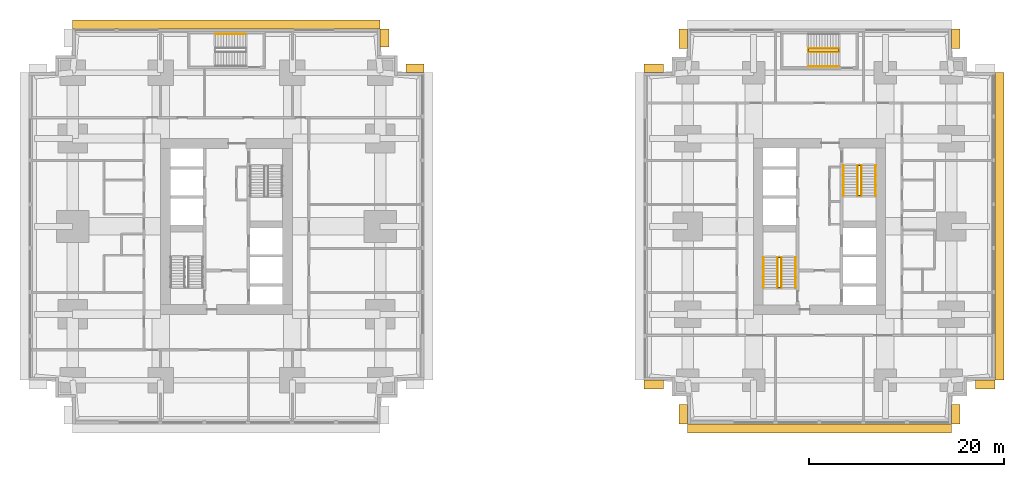
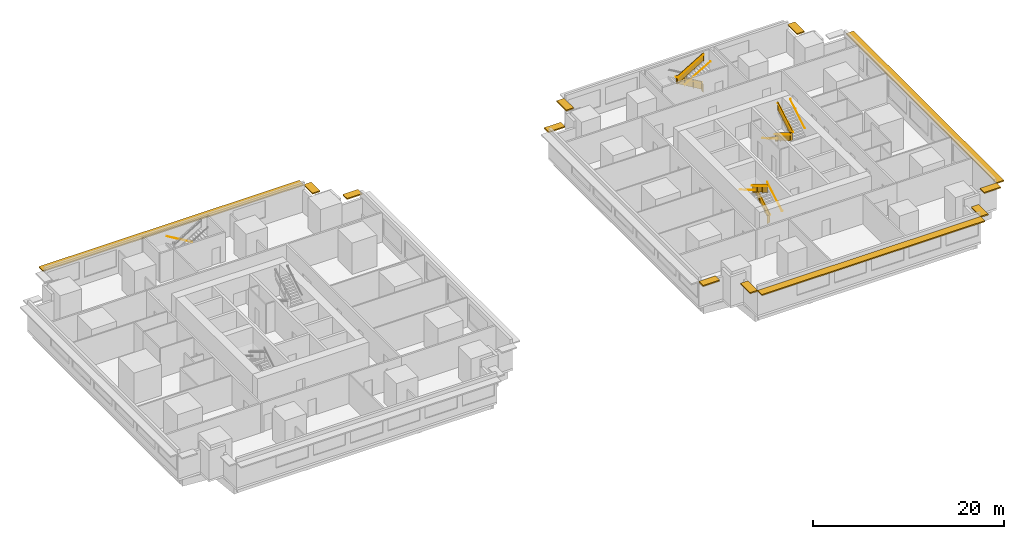
# One storey, part 10 of 11: 15 railings, 12 shading devices.
"""IFC4 building model written with IfcOpenShell, lengths in metres."""

from ifc_helpers import new_model, si_unit, direction, frame, origin, origin_2d, place, context, subcontext, project, spatial, polyline, rectangle, circle, outline, extrude, material, layer, layer_set, type_object, element, save


model = new_model("IFC4")

# Units and contexts
model_context = context("Model", 3, precision=1e-05, world=origin(), true_north=direction((0.0, 1.0)))
body_context = subcontext(model_context, "Body", "Model", "MODEL_VIEW")
ifc_project = project(units=[si_unit("LENGTHUNIT", "METRE"), si_unit("AREAUNIT", "SQUARE_METRE"), si_unit("VOLUMEUNIT", "CUBIC_METRE"), si_unit("PLANEANGLEUNIT", "RADIAN"), si_unit("MASSUNIT", "GRAM", prefix="KILO")], contexts=[model_context])

# Site, building, storey
site_placement = place(None, origin())
site = spatial("IfcSite", under=ifc_project, at=site_placement, CompositionType="ELEMENT")
building_placement = place(site_placement, origin())
building = spatial("IfcBuilding", under=site, at=building_placement, Name="Namib Vertical Campus", CompositionType="ELEMENT")
storey_placement = place(building_placement, frame((0.0, 0.0, 33.0)))
storey = spatial("IfcBuildingStorey", under=building, at=storey_placement, Name="L07", CompositionType="ELEMENT", Elevation=33.0)

# Railings
ifc_material_1 = material(Name="Steel handrail", Category="steel")
railing_type_1 = type_object("IfcRailingType", Name="Handrail 900", PredefinedType="HANDRAIL", material=ifc_material_1)
railing_1_placement = place(storey_placement, frame((78.550048828125, 14.0, 0.166748046875)))
element("IfcRailing", 1, at=railing_1_placement, inside=storey, type_object=railing_type_1, Name="Handrail HR1 B-S1 L07 1", PredefinedType="HANDRAIL", context=body_context, shape_type="SweptSolid", body=[
    extrude(circle(Radius=0.02392578125, at=origin_2d()), frame((0.0, 0.0, 0.8759765625), z_axis=(0.0, 0.859308565015, 0.511457515432), x_axis=(-1.0, 0.0, 0.0)), (0.0, 0.0, 1.0), 3.58447265625),
    extrude(circle(Radius=0.008056640625, at=origin_2d()), frame((0.0, 0.0, 0.8759765625), z_axis=(1.0, 0.0, 0.0), x_axis=(0.0, 0.0, 1.0)), (0.0, 0.0, 1.0), 0.050048828125),
    extrude(circle(Radius=0.008056640625, at=origin_2d()), frame((0.0, 1.026611328125, 1.48681640625), z_axis=(1.0, 0.0, 0.0), x_axis=(0.0, 0.0, 1.0)), (0.0, 0.0, 1.0), 0.050048828125),
    extrude(circle(Radius=0.008056640625, at=origin_2d()), frame((0.0, 2.053466796875, 2.09814453125), z_axis=(1.0, 0.0, 0.0), x_axis=(0.0, 0.0, 1.0)), (0.0, 0.0, 1.0), 0.050048828125),
    extrude(circle(Radius=0.008056640625, at=origin_2d()), frame((0.0, 3.080078125, 2.708984375), z_axis=(1.0, 0.0, 0.0), x_axis=(0.0, 0.0, 1.0)), (0.0, 0.0, 1.0), 0.050048828125),
])
railing_2_placement = place(storey_placement, frame((75.25, 17.080078125, 2.166748046875)))
element("IfcRailing", 2, at=railing_2_placement, inside=storey, type_object=railing_type_1, Name="Handrail HR1 B-S1 L07 2", PredefinedType="HANDRAIL", context=body_context, shape_type="SweptSolid", body=[
    extrude(circle(Radius=0.02392578125, at=origin_2d()), frame((0.0, 0.0, 0.8759765625), z_axis=(0.0, -0.859308565015, 0.511457515432), x_axis=(1.0, 0.0, 0.0)), (0.0, 0.0, 1.0), 3.58447265625),
    extrude(circle(Radius=0.008056640625, at=origin_2d()), frame((0.0, 0.0, 0.8759765625), z_axis=(-1.0, 0.0, 0.0), x_axis=(0.0, 0.0, 1.0)), (0.0, 0.0, 1.0), 0.050048828125),
    extrude(circle(Radius=0.008056640625, at=origin_2d()), frame((0.0, -1.026611328125, 1.48681640625), z_axis=(-1.0, 0.0, 0.0), x_axis=(0.0, 0.0, 1.0)), (0.0, 0.0, 1.0), 0.050048828125),
    extrude(circle(Radius=0.008056640625, at=origin_2d()), frame((0.0, -2.053466796875, 2.09814453125), z_axis=(-1.0, 0.0, 0.0), x_axis=(0.0, 0.0, 1.0)), (0.0, 0.0, 1.0), 0.050048828125),
    extrude(circle(Radius=0.008056640625, at=origin_2d()), frame((0.0, -3.080078125, 2.708984375), z_axis=(-1.0, 0.0, 0.0), x_axis=(0.0, 0.0, 1.0)), (0.0, 0.0, 1.0), 0.050048828125),
])
railing_3_placement = place(storey_placement, frame((77.10009765625, 14.0, 0.166748046875)))
element("IfcRailing", 3, at=railing_3_placement, inside=storey, type_object=railing_type_1, Name="Handrail HR1 B-S1 L07 1 at the well", PredefinedType="HANDRAIL", context=body_context, shape_type="SweptSolid", body=[
    extrude(circle(Radius=0.02392578125, at=origin_2d()), frame((0.0, 0.0, 0.8759765625), z_axis=(0.0, 0.859308565015, 0.511457515432), x_axis=(-1.0, 0.0, 0.0)), (0.0, 0.0, 1.0), 3.58447265625),
    extrude(circle(Radius=0.008056640625, at=origin_2d()), frame((0.0, 0.0, 0.8759765625), z_axis=(-1.0, 0.0, 0.0), x_axis=(0.0, 0.0, 1.0)), (0.0, 0.0, 1.0), 0.0400390625),
    extrude(circle(Radius=0.008056640625, at=origin_2d()), frame((0.0, 1.026611328125, 1.48681640625), z_axis=(-1.0, 0.0, 0.0), x_axis=(0.0, 0.0, 1.0)), (0.0, 0.0, 1.0), 0.0400390625),
    extrude(circle(Radius=0.008056640625, at=origin_2d()), frame((0.0, 2.053466796875, 2.09814453125), z_axis=(-1.0, 0.0, 0.0), x_axis=(0.0, 0.0, 1.0)), (0.0, 0.0, 1.0), 0.0400390625),
    extrude(circle(Radius=0.008056640625, at=origin_2d()), frame((0.0, 3.080078125, 2.708984375), z_axis=(-1.0, 0.0, 0.0), x_axis=(0.0, 0.0, 1.0)), (0.0, 0.0, 1.0), 0.0400390625),
])
railing_4_placement = place(storey_placement, frame((76.699951171875, 17.080078125, 2.166748046875)))
element("IfcRailing", 4, at=railing_4_placement, inside=storey, type_object=railing_type_1, Name="Handrail HR1 B-S1 L07 2 at the well", PredefinedType="HANDRAIL", context=body_context, shape_type="SweptSolid", body=[
    extrude(circle(Radius=0.02392578125, at=origin_2d()), frame((0.0, 0.0, 0.8759765625), z_axis=(0.0, -0.859308565015, 0.511457515432), x_axis=(1.0, 0.0, 0.0)), (0.0, 0.0, 1.0), 3.58447265625),
    extrude(circle(Radius=0.008056640625, at=origin_2d()), frame((0.0, 0.0, 0.8759765625), z_axis=(1.0, 0.0, 0.0), x_axis=(0.0, 0.0, 1.0)), (0.0, 0.0, 1.0), 0.0400390625),
    extrude(circle(Radius=0.008056640625, at=origin_2d()), frame((0.0, -1.026611328125, 1.48681640625), z_axis=(1.0, 0.0, 0.0), x_axis=(0.0, 0.0, 1.0)), (0.0, 0.0, 1.0), 0.0400390625),
    extrude(circle(Radius=0.008056640625, at=origin_2d()), frame((0.0, -2.053466796875, 2.09814453125), z_axis=(1.0, 0.0, 0.0), x_axis=(0.0, 0.0, 1.0)), (0.0, 0.0, 1.0), 0.0400390625),
    extrude(circle(Radius=0.008056640625, at=origin_2d()), frame((0.0, -3.080078125, 2.708984375), z_axis=(1.0, 0.0, 0.0), x_axis=(0.0, 0.0, 1.0)), (0.0, 0.0, 1.0), 0.0400390625),
])
railing_5_placement = place(storey_placement, frame((83.449951171875, 26.5, 0.166748046875)))
element("IfcRailing", 5, at=railing_5_placement, inside=storey, type_object=railing_type_1, Name="Handrail HR1 B-S2 L07 1", PredefinedType="HANDRAIL", context=body_context, shape_type="SweptSolid", body=[
    extrude(circle(Radius=0.02392578125, at=origin_2d()), frame((0.0, 0.0, 0.8759765625), z_axis=(0.0, -0.859308565015, 0.511457515432), x_axis=(1.0, 0.0, 0.0)), (0.0, 0.0, 1.0), 3.58447265625),
    extrude(circle(Radius=0.008056640625, at=origin_2d()), frame((0.0, 0.0, 0.8759765625), z_axis=(-1.0, 0.0, 0.0), x_axis=(0.0, 0.0, 1.0)), (0.0, 0.0, 1.0), 0.050048828125),
    extrude(circle(Radius=0.008056640625, at=origin_2d()), frame((0.0, -1.026611328125, 1.48681640625), z_axis=(-1.0, 0.0, 0.0), x_axis=(0.0, 0.0, 1.0)), (0.0, 0.0, 1.0), 0.050048828125),
    extrude(circle(Radius=0.008056640625, at=origin_2d()), frame((0.0, -2.053466796875, 2.09814453125), z_axis=(-1.0, 0.0, 0.0), x_axis=(0.0, 0.0, 1.0)), (0.0, 0.0, 1.0), 0.050048828125),
    extrude(circle(Radius=0.008056640625, at=origin_2d()), frame((0.0, -3.080078125, 2.708984375), z_axis=(-1.0, 0.0, 0.0), x_axis=(0.0, 0.0, 1.0)), (0.0, 0.0, 1.0), 0.050048828125),
])
railing_6_placement = place(storey_placement, frame((86.75, 23.419921875, 2.166748046875)))
element("IfcRailing", 6, at=railing_6_placement, inside=storey, type_object=railing_type_1, Name="Handrail HR1 B-S2 L07 2", PredefinedType="HANDRAIL", context=body_context, shape_type="SweptSolid", body=[
    extrude(circle(Radius=0.02392578125, at=origin_2d()), frame((0.0, 0.0, 0.8759765625), z_axis=(0.0, 0.859308565015, 0.511457515432), x_axis=(-1.0, 0.0, 0.0)), (0.0, 0.0, 1.0), 3.58447265625),
    extrude(circle(Radius=0.008056640625, at=origin_2d()), frame((0.0, 0.0, 0.8759765625), z_axis=(1.0, 0.0, 0.0), x_axis=(0.0, 0.0, 1.0)), (0.0, 0.0, 1.0), 0.050048828125),
    extrude(circle(Radius=0.008056640625, at=origin_2d()), frame((0.0, 1.026611328125, 1.48681640625), z_axis=(1.0, 0.0, 0.0), x_axis=(0.0, 0.0, 1.0)), (0.0, 0.0, 1.0), 0.050048828125),
    extrude(circle(Radius=0.008056640625, at=origin_2d()), frame((0.0, 2.053466796875, 2.09814453125), z_axis=(1.0, 0.0, 0.0), x_axis=(0.0, 0.0, 1.0)), (0.0, 0.0, 1.0), 0.050048828125),
    extrude(circle(Radius=0.008056640625, at=origin_2d()), frame((0.0, 3.080078125, 2.708984375), z_axis=(1.0, 0.0, 0.0), x_axis=(0.0, 0.0, 1.0)), (0.0, 0.0, 1.0), 0.050048828125),
])
railing_7_placement = place(storey_placement, frame((84.89990234375, 26.5, 0.166748046875)))
element("IfcRailing", 7, at=railing_7_placement, inside=storey, type_object=railing_type_1, Name="Handrail HR1 B-S2 L07 1 at the well", PredefinedType="HANDRAIL", context=body_context, shape_type="SweptSolid", body=[
    extrude(circle(Radius=0.02392578125, at=origin_2d()), frame((0.0, 0.0, 0.8759765625), z_axis=(0.0, -0.859308565015, 0.511457515432), x_axis=(1.0, 0.0, 0.0)), (0.0, 0.0, 1.0), 3.58447265625),
    extrude(circle(Radius=0.008056640625, at=origin_2d()), frame((0.0, 0.0, 0.8759765625), z_axis=(1.0, 0.0, 0.0), x_axis=(0.0, 0.0, 1.0)), (0.0, 0.0, 1.0), 0.0400390625),
    extrude(circle(Radius=0.008056640625, at=origin_2d()), frame((0.0, -1.026611328125, 1.48681640625), z_axis=(1.0, 0.0, 0.0), x_axis=(0.0, 0.0, 1.0)), (0.0, 0.0, 1.0), 0.0400390625),
    extrude(circle(Radius=0.008056640625, at=origin_2d()), frame((0.0, -2.053466796875, 2.09814453125), z_axis=(1.0, 0.0, 0.0), x_axis=(0.0, 0.0, 1.0)), (0.0, 0.0, 1.0), 0.0400390625),
    extrude(circle(Radius=0.008056640625, at=origin_2d()), frame((0.0, -3.080078125, 2.708984375), z_axis=(1.0, 0.0, 0.0), x_axis=(0.0, 0.0, 1.0)), (0.0, 0.0, 1.0), 0.0400390625),
])
railing_8_placement = place(storey_placement, frame((85.300048828125, 23.419921875, 2.166748046875)))
element("IfcRailing", 8, at=railing_8_placement, inside=storey, type_object=railing_type_1, Name="Handrail HR1 B-S2 L07 2 at the well", PredefinedType="HANDRAIL", context=body_context, shape_type="SweptSolid", body=[
    extrude(circle(Radius=0.02392578125, at=origin_2d()), frame((0.0, 0.0, 0.8759765625), z_axis=(0.0, 0.859308565015, 0.511457515432), x_axis=(-1.0, 0.0, 0.0)), (0.0, 0.0, 1.0), 3.58447265625),
    extrude(circle(Radius=0.008056640625, at=origin_2d()), frame((0.0, 0.0, 0.8759765625), z_axis=(-1.0, 0.0, 0.0), x_axis=(0.0, 0.0, 1.0)), (0.0, 0.0, 1.0), 0.0400390625),
    extrude(circle(Radius=0.008056640625, at=origin_2d()), frame((0.0, 1.026611328125, 1.48681640625), z_axis=(-1.0, 0.0, 0.0), x_axis=(0.0, 0.0, 1.0)), (0.0, 0.0, 1.0), 0.0400390625),
    extrude(circle(Radius=0.008056640625, at=origin_2d()), frame((0.0, 2.053466796875, 2.09814453125), z_axis=(-1.0, 0.0, 0.0), x_axis=(0.0, 0.0, 1.0)), (0.0, 0.0, 1.0), 0.0400390625),
    extrude(circle(Radius=0.008056640625, at=origin_2d()), frame((0.0, 3.080078125, 2.708984375), z_axis=(-1.0, 0.0, 0.0), x_axis=(0.0, 0.0, 1.0)), (0.0, 0.0, 1.0), 0.0400390625),
])
railing_9_placement = place(storey_placement, frame((22.199951171875, 39.949951171875, 0.166748046875)))
element("IfcRailing", 9, at=railing_9_placement, inside=storey, type_object=railing_type_1, Name="Handrail HR1 A-S3 L07 1", PredefinedType="HANDRAIL", context=body_context, shape_type="SweptSolid", body=[
    extrude(circle(Radius=0.02392578125, at=origin_2d()), frame((0.0, 0.0, 0.8759765625), z_axis=(-0.859290745958, 0.0, 0.51148745235), x_axis=(0.0, -1.0, 0.0)), (0.0, 0.0, 1.0), 3.584228515625),
    extrude(circle(Radius=0.008056640625, at=origin_2d()), frame((0.0, 0.0, 0.8759765625), z_axis=(0.0, 1.0, 0.0), x_axis=(0.0, 0.0, 1.0)), (0.0, 0.0, 1.0), 0.050048828125),
    extrude(circle(Radius=0.008056640625, at=origin_2d()), frame((-1.026611328125, 0.0, 1.48681640625), z_axis=(0.0, 1.0, 0.0), x_axis=(0.0, 0.0, 1.0)), (0.0, 0.0, 1.0), 0.050048828125),
    extrude(circle(Radius=0.008056640625, at=origin_2d()), frame((-2.05322265625, 0.0, 2.09814453125), z_axis=(0.0, 1.0, 0.0), x_axis=(0.0, 0.0, 1.0)), (0.0, 0.0, 1.0), 0.050048828125),
    extrude(circle(Radius=0.008056640625, at=origin_2d()), frame((-3.079833984375, 0.0, 2.708984375), z_axis=(0.0, 1.0, 0.0), x_axis=(0.0, 0.0, 1.0)), (0.0, 0.0, 1.0), 0.050048828125),
])
railing_10_placement = place(storey_placement, frame((79.8701171875, 36.64990234375, 2.166748046875)))
element("IfcRailing", 10, at=railing_10_placement, inside=storey, type_object=railing_type_1, Name="Handrail HR1 B-S3 L07 2", PredefinedType="HANDRAIL", context=body_context, shape_type="SweptSolid", body=[
    extrude(circle(Radius=0.02392578125, at=origin_2d()), frame((0.0, 0.0, 0.8759765625), z_axis=(0.859290745958, 0.0, 0.51148745235), x_axis=(0.0, 1.0, 0.0)), (0.0, 0.0, 1.0), 3.584228515625),
    extrude(circle(Radius=0.008056640625, at=origin_2d()), frame((0.0, 0.0, 0.8759765625), z_axis=(0.0, -1.0, 0.0), x_axis=(0.0, 0.0, 1.0)), (0.0, 0.0, 1.0), 0.050048828125),
    extrude(circle(Radius=0.008056640625, at=origin_2d()), frame((1.026611328125, 0.0, 1.48681640625), z_axis=(0.0, -1.0, 0.0), x_axis=(0.0, 0.0, 1.0)), (0.0, 0.0, 1.0), 0.050048828125),
    extrude(circle(Radius=0.008056640625, at=origin_2d()), frame((2.05322265625, 0.0, 2.09814453125), z_axis=(0.0, -1.0, 0.0), x_axis=(0.0, 0.0, 1.0)), (0.0, 0.0, 1.0), 0.050048828125),
    extrude(circle(Radius=0.008056640625, at=origin_2d()), frame((3.079833984375, 0.0, 2.708984375), z_axis=(0.0, -1.0, 0.0), x_axis=(0.0, 0.0, 1.0)), (0.0, 0.0, 1.0), 0.050048828125),
])
railing_11_placement = place(storey_placement, frame((82.949951171875, 38.5, 0.166748046875)))
element("IfcRailing", 11, at=railing_11_placement, inside=storey, type_object=railing_type_1, Name="Handrail HR1 B-S3 L07 1 at the well", PredefinedType="HANDRAIL", context=body_context, shape_type="SweptSolid", body=[
    extrude(circle(Radius=0.02392578125, at=origin_2d()), frame((0.0, 0.0, 0.8759765625), z_axis=(-0.859290745958, 0.0, 0.51148745235), x_axis=(0.0, -1.0, 0.0)), (0.0, 0.0, 1.0), 3.584228515625),
    extrude(circle(Radius=0.008056640625, at=origin_2d()), frame((0.0, 0.0, 0.8759765625), z_axis=(0.0, -1.0, 0.0), x_axis=(0.0, 0.0, 1.0)), (0.0, 0.0, 1.0), 0.0400390625),
    extrude(circle(Radius=0.008056640625, at=origin_2d()), frame((-1.026611328125, 0.0, 1.48681640625), z_axis=(0.0, -1.0, 0.0), x_axis=(0.0, 0.0, 1.0)), (0.0, 0.0, 1.0), 0.0400390625),
    extrude(circle(Radius=0.008056640625, at=origin_2d()), frame((-2.05322265625, 0.0, 2.09814453125), z_axis=(0.0, -1.0, 0.0), x_axis=(0.0, 0.0, 1.0)), (0.0, 0.0, 1.0), 0.0400390625),
    extrude(circle(Radius=0.008056640625, at=origin_2d()), frame((-3.079833984375, 0.0, 2.708984375), z_axis=(0.0, -1.0, 0.0), x_axis=(0.0, 0.0, 1.0)), (0.0, 0.0, 1.0), 0.0400390625),
])
railing_12_placement = place(storey_placement, frame((79.8701171875, 38.10009765625, 2.166748046875)))
element("IfcRailing", 12, at=railing_12_placement, inside=storey, type_object=railing_type_1, Name="Handrail HR1 B-S3 L07 2 at the well", PredefinedType="HANDRAIL", context=body_context, shape_type="SweptSolid", body=[
    extrude(circle(Radius=0.02392578125, at=origin_2d()), frame((0.0, 0.0, 0.8759765625), z_axis=(0.859290745958, 0.0, 0.51148745235), x_axis=(0.0, 1.0, 0.0)), (0.0, 0.0, 1.0), 3.584228515625),
    extrude(circle(Radius=0.008056640625, at=origin_2d()), frame((0.0, 0.0, 0.8759765625), z_axis=(0.0, 1.0, 0.0), x_axis=(0.0, 0.0, 1.0)), (0.0, 0.0, 1.0), 0.0400390625),
    extrude(circle(Radius=0.008056640625, at=origin_2d()), frame((1.026611328125, 0.0, 1.48681640625), z_axis=(0.0, 1.0, 0.0), x_axis=(0.0, 0.0, 1.0)), (0.0, 0.0, 1.0), 0.0400390625),
    extrude(circle(Radius=0.008056640625, at=origin_2d()), frame((2.05322265625, 0.0, 2.09814453125), z_axis=(0.0, 1.0, 0.0), x_axis=(0.0, 0.0, 1.0)), (0.0, 0.0, 1.0), 0.0400390625),
    extrude(circle(Radius=0.008056640625, at=origin_2d()), frame((3.079833984375, 0.0, 2.708984375), z_axis=(0.0, 1.0, 0.0), x_axis=(0.0, 0.0, 1.0)), (0.0, 0.0, 1.0), 0.0400390625),
])
ifc_material_2 = material(Name="Steel balustrade", Category="steel")
railing_type_2 = type_object("IfcRailingType", Name="Stair guard 1100", PredefinedType="GUARDRAIL", material=ifc_material_2)
railing_13_placement = place(storey_placement, frame((76.75, 14.0, 0.0)))
element("IfcRailing", 13, at=railing_13_placement, inside=storey, type_object=railing_type_2, Name="Stair guard GR1 B-S1 L07", PredefinedType="GUARDRAIL", context=body_context, shape_type="SweptSolid", body=[
    extrude(circle(Radius=0.02392578125, at=origin_2d()), frame((0.0, 0.0, 1.076171875), z_axis=(1.0, 0.0, 0.0), x_axis=(0.0, 1.0, 0.0)), (0.0, 0.0, 1.0), 0.300048828125),
    extrude(outline(polyline([(0.02099609375, 0.050048828125), (0.279052734375, 0.050048828125), (0.279052734375, 1.052001953125), (0.02099609375, 1.052001953125), (0.02099609375, 0.050048828125)])), frame((0.0, 0.010009765625, 0.0), z_axis=(0.0, -1.0, 0.0), x_axis=(1.0, 0.0, 0.0)), (0.0, 0.0, 1.0), 0.02001953125),
    extrude(circle(Radius=0.02392578125, at=origin_2d()), frame((0.300048828125, 0.0, 1.076171875), z_axis=(0.0, 0.0, 1.0), x_axis=(1.0, 0.0, 0.0)), (0.0, 0.0, 1.0), 0.166748046875),
    extrude(circle(Radius=0.02392578125, at=origin_2d()), frame((0.300048828125, 0.0, 1.24267578125), z_axis=(0.0, 0.859308565015, 0.511457515432), x_axis=(-1.0, 0.0, 0.0)), (0.0, 0.0, 1.0), 3.58447265625),
    extrude(outline(polyline([(0.02099609375, 0.0625), (3.05908203125, 1.870849609375), (3.05908203125, 2.872802734375), (0.02099609375, 1.064453125), (0.02099609375, 0.0625)])), frame((0.2900390625, 0.0, 0.166748046875), z_axis=(1.0, 0.0, 0.0), x_axis=(0.0, 1.0, 0.0)), (0.0, 0.0, 1.0), 0.02001953125),
    extrude(circle(Radius=0.02392578125, at=origin_2d()), frame((0.300048828125, 3.080078125, 3.076171875), z_axis=(-1.0, 0.0, 0.0), x_axis=(0.0, -1.0, 0.0)), (0.0, 0.0, 1.0), 0.300048828125),
    extrude(outline(polyline([(0.02099609375, 0.050048828125), (0.279052734375, 0.050048828125), (0.279052734375, 1.052001953125), (0.02099609375, 1.052001953125), (0.02099609375, 0.050048828125)])), frame((0.300048828125, 3.070068359375, 2.0), z_axis=(0.0, 1.0, 0.0), x_axis=(-1.0, 0.0, 0.0)), (0.0, 0.0, 1.0), 0.02001953125),
    extrude(circle(Radius=0.02392578125, at=origin_2d()), frame((0.0, 3.080078125, 3.076171875), z_axis=(0.0, 0.0, 1.0), x_axis=(1.0, 0.0, 0.0)), (0.0, 0.0, 1.0), 0.166748046875),
    extrude(circle(Radius=0.02392578125, at=origin_2d()), frame((0.0, 3.080078125, 3.24267578125), z_axis=(0.0, -0.859308565015, 0.511457515432), x_axis=(1.0, 0.0, 0.0)), (0.0, 0.0, 1.0), 3.58447265625),
    extrude(outline(polyline([(0.02099609375, 0.0625), (3.05908203125, 1.870849609375), (3.05908203125, 2.872802734375), (0.02099609375, 1.064453125), (0.02099609375, 0.0625)])), frame((0.010009765625, 3.080078125, 2.166748046875), z_axis=(-1.0, 0.0, 0.0), x_axis=(0.0, -1.0, 0.0)), (0.0, 0.0, 1.0), 0.02001953125),
    extrude(circle(Radius=0.02392578125, at=origin_2d()), frame((0.0, 0.0, 5.076171875), z_axis=(0.0, -1.0, 0.0), x_axis=(1.0, 0.0, 0.0)), (0.0, 0.0, 1.0), 0.050048828125),
    extrude(outline(polyline([(0.02099609375, 0.050048828125), (0.029052734375, 0.050048828125), (0.029052734375, 1.052001953125), (0.02099609375, 1.052001953125), (0.02099609375, 0.050048828125)])), frame((0.010009765625, 0.0, 4.0), z_axis=(-1.0, 0.0, 0.0), x_axis=(0.0, -1.0, 0.0)), (0.0, 0.0, 1.0), 0.02001953125),
    extrude(circle(Radius=0.02099609375, at=origin_2d()), origin(), (0.0, 0.0, 1.0), 1.052001953125),
    extrude(circle(Radius=0.02099609375, at=origin_2d()), frame((0.300048828125, 0.0, 0.166748046875)), (0.0, 0.0, 1.0), 1.052001953125),
    extrude(circle(Radius=0.02099609375, at=origin_2d()), frame((0.300048828125, 1.026611328125, 0.666748046875)), (0.0, 0.0, 1.0), 1.1630859375),
    extrude(circle(Radius=0.02099609375, at=origin_2d()), frame((0.300048828125, 2.053466796875, 1.33349609375)), (0.0, 0.0, 1.0), 1.107421875),
    extrude(circle(Radius=0.02099609375, at=origin_2d()), frame((0.300048828125, 3.080078125, 2.0)), (0.0, 0.0, 1.0), 1.052001953125),
    extrude(circle(Radius=0.02099609375, at=origin_2d()), frame((0.0, 3.080078125, 2.166748046875)), (0.0, 0.0, 1.0), 1.052001953125),
    extrude(circle(Radius=0.02099609375, at=origin_2d()), frame((0.0, 2.053466796875, 2.666748046875)), (0.0, 0.0, 1.0), 1.1630859375),
    extrude(circle(Radius=0.02099609375, at=origin_2d()), frame((0.0, 1.026611328125, 3.33349609375)), (0.0, 0.0, 1.0), 1.107421875),
    extrude(circle(Radius=0.02099609375, at=origin_2d()), frame((0.0, 0.0, 4.0)), (0.0, 0.0, 1.0), 1.052001953125),
    extrude(circle(Radius=0.02099609375, at=origin_2d()), frame((0.0, -0.050048828125, 4.0)), (0.0, 0.0, 1.0), 1.052001953125),
])
railing_14_placement = place(storey_placement, frame((85.25, 26.5, 0.0)))
element("IfcRailing", 14, at=railing_14_placement, inside=storey, type_object=railing_type_2, Name="Stair guard GR1 B-S2 L07", PredefinedType="GUARDRAIL", context=body_context, shape_type="SweptSolid", body=[
    extrude(circle(Radius=0.02392578125, at=origin_2d()), frame((0.0, 0.0, 1.076171875), z_axis=(-1.0, 0.0, 0.0), x_axis=(0.0, -1.0, 0.0)), (0.0, 0.0, 1.0), 0.300048828125),
    extrude(outline(polyline([(0.02099609375, 0.050048828125), (0.279052734375, 0.050048828125), (0.279052734375, 1.052001953125), (0.02099609375, 1.052001953125), (0.02099609375, 0.050048828125)])), frame((0.0, -0.010009765625, 0.0), z_axis=(0.0, 1.0, 0.0), x_axis=(-1.0, 0.0, 0.0)), (0.0, 0.0, 1.0), 0.02001953125),
    extrude(circle(Radius=0.02392578125, at=origin_2d()), frame((-0.300048828125, 0.0, 1.076171875), z_axis=(0.0, 0.0, 1.0), x_axis=(1.0, 0.0, 0.0)), (0.0, 0.0, 1.0), 0.166748046875),
    extrude(circle(Radius=0.02392578125, at=origin_2d()), frame((-0.300048828125, 0.0, 1.24267578125), z_axis=(0.0, -0.859308565015, 0.511457515432), x_axis=(1.0, 0.0, 0.0)), (0.0, 0.0, 1.0), 3.58447265625),
    extrude(outline(polyline([(0.02099609375, 0.0625), (3.05908203125, 1.870849609375), (3.05908203125, 2.872802734375), (0.02099609375, 1.064453125), (0.02099609375, 0.0625)])), frame((-0.2900390625, 0.0, 0.166748046875), z_axis=(-1.0, 0.0, 0.0), x_axis=(0.0, -1.0, 0.0)), (0.0, 0.0, 1.0), 0.02001953125),
    extrude(circle(Radius=0.02392578125, at=origin_2d()), frame((-0.300048828125, -3.080078125, 3.076171875), z_axis=(1.0, 0.0, 0.0), x_axis=(0.0, 1.0, 0.0)), (0.0, 0.0, 1.0), 0.300048828125),
    extrude(outline(polyline([(0.02099609375, 0.050048828125), (0.279052734375, 0.050048828125), (0.279052734375, 1.052001953125), (0.02099609375, 1.052001953125), (0.02099609375, 0.050048828125)])), frame((-0.300048828125, -3.070068359375, 2.0), z_axis=(0.0, -1.0, 0.0), x_axis=(1.0, 0.0, 0.0)), (0.0, 0.0, 1.0), 0.02001953125),
    extrude(circle(Radius=0.02392578125, at=origin_2d()), frame((0.0, -3.080078125, 3.076171875), z_axis=(0.0, 0.0, 1.0), x_axis=(1.0, 0.0, 0.0)), (0.0, 0.0, 1.0), 0.166748046875),
    extrude(circle(Radius=0.02392578125, at=origin_2d()), frame((0.0, -3.080078125, 3.24267578125), z_axis=(0.0, 0.859308565015, 0.511457515432), x_axis=(-1.0, 0.0, 0.0)), (0.0, 0.0, 1.0), 3.58447265625),
    extrude(outline(polyline([(0.02099609375, 0.0625), (3.05908203125, 1.870849609375), (3.05908203125, 2.872802734375), (0.02099609375, 1.064453125), (0.02099609375, 0.0625)])), frame((-0.010009765625, -3.080078125, 2.166748046875), z_axis=(1.0, 0.0, 0.0), x_axis=(0.0, 1.0, 0.0)), (0.0, 0.0, 1.0), 0.02001953125),
    extrude(circle(Radius=0.02392578125, at=origin_2d()), frame((0.0, 0.0, 5.076171875), z_axis=(0.0, 1.0, 0.0), x_axis=(-1.0, 0.0, 0.0)), (0.0, 0.0, 1.0), 0.050048828125),
    extrude(outline(polyline([(0.02099609375, 0.050048828125), (0.029052734375, 0.050048828125), (0.029052734375, 1.052001953125), (0.02099609375, 1.052001953125), (0.02099609375, 0.050048828125)])), frame((-0.010009765625, 0.0, 4.0), z_axis=(1.0, 0.0, 0.0), x_axis=(0.0, 1.0, 0.0)), (0.0, 0.0, 1.0), 0.02001953125),
    extrude(circle(Radius=0.02099609375, at=origin_2d()), origin(), (0.0, 0.0, 1.0), 1.052001953125),
    extrude(circle(Radius=0.02099609375, at=origin_2d()), frame((-0.300048828125, 0.0, 0.166748046875)), (0.0, 0.0, 1.0), 1.052001953125),
    extrude(circle(Radius=0.02099609375, at=origin_2d()), frame((-0.300048828125, -1.026611328125, 0.666748046875)), (0.0, 0.0, 1.0), 1.1630859375),
    extrude(circle(Radius=0.02099609375, at=origin_2d()), frame((-0.300048828125, -2.053466796875, 1.33349609375)), (0.0, 0.0, 1.0), 1.107421875),
    extrude(circle(Radius=0.02099609375, at=origin_2d()), frame((-0.300048828125, -3.080078125, 2.0)), (0.0, 0.0, 1.0), 1.052001953125),
    extrude(circle(Radius=0.02099609375, at=origin_2d()), frame((0.0, -3.080078125, 2.166748046875)), (0.0, 0.0, 1.0), 1.052001953125),
    extrude(circle(Radius=0.02099609375, at=origin_2d()), frame((0.0, -2.053466796875, 2.666748046875)), (0.0, 0.0, 1.0), 1.1630859375),
    extrude(circle(Radius=0.02099609375, at=origin_2d()), frame((0.0, -1.026611328125, 3.33349609375)), (0.0, 0.0, 1.0), 1.107421875),
    extrude(circle(Radius=0.02099609375, at=origin_2d()), frame((0.0, 0.0, 4.0)), (0.0, 0.0, 1.0), 1.052001953125),
    extrude(circle(Radius=0.02099609375, at=origin_2d()), frame((0.0, 0.050048828125, 4.0)), (0.0, 0.0, 1.0), 1.052001953125),
])
railing_15_placement = place(storey_placement, frame((82.949951171875, 38.14990234375, 0.0)))
element("IfcRailing", 15, at=railing_15_placement, inside=storey, type_object=railing_type_2, Name="Stair guard GR1 B-S3 L07", PredefinedType="GUARDRAIL", context=body_context, shape_type="SweptSolid", body=[
    extrude(circle(Radius=0.02392578125, at=origin_2d()), frame((0.0, 0.0, 1.076171875), z_axis=(0.0, 1.0, 0.0), x_axis=(-1.0, 0.0, 0.0)), (0.0, 0.0, 1.0), 0.300048828125),
    extrude(outline(polyline([(0.02099609375, 0.050048828125), (0.279052734375, 0.050048828125), (0.279052734375, 1.052001953125), (0.02099609375, 1.052001953125), (0.02099609375, 0.050048828125)])), frame((-0.010009765625, 0.0, 0.0), z_axis=(1.0, 0.0, 0.0), x_axis=(0.0, 1.0, 0.0)), (0.0, 0.0, 1.0), 0.02001953125),
    extrude(circle(Radius=0.02392578125, at=origin_2d()), frame((0.0, 0.300048828125, 1.076171875), z_axis=(0.0, 0.0, 1.0), x_axis=(1.0, 0.0, 0.0)), (0.0, 0.0, 1.0), 0.166748046875),
    extrude(circle(Radius=0.02392578125, at=origin_2d()), frame((0.0, 0.300048828125, 1.24267578125), z_axis=(-0.859290745958, 0.0, 0.51148745235), x_axis=(0.0, -1.0, 0.0)), (0.0, 0.0, 1.0), 3.584228515625),
    extrude(outline(polyline([(0.02099609375, 0.0625), (3.058837890625, 1.870849609375), (3.058837890625, 2.872802734375), (0.02099609375, 1.064453125), (0.02099609375, 0.0625)])), frame((0.0, 0.2900390625, 0.166748046875), z_axis=(0.0, 1.0, 0.0), x_axis=(-1.0, 0.0, 0.0)), (0.0, 0.0, 1.0), 0.02001953125),
    extrude(circle(Radius=0.02392578125, at=origin_2d()), frame((-3.079833984375, 0.300048828125, 3.076171875), z_axis=(0.0, -1.0, 0.0), x_axis=(1.0, 0.0, 0.0)), (0.0, 0.0, 1.0), 0.300048828125),
    extrude(outline(polyline([(0.02099609375, 0.050048828125), (0.279052734375, 0.050048828125), (0.279052734375, 1.052001953125), (0.02099609375, 1.052001953125), (0.02099609375, 0.050048828125)])), frame((-3.06982421875, 0.300048828125, 2.0), z_axis=(-1.0, 0.0, 0.0), x_axis=(0.0, -1.0, 0.0)), (0.0, 0.0, 1.0), 0.02001953125),
    extrude(circle(Radius=0.02392578125, at=origin_2d()), frame((-3.079833984375, 0.0, 3.076171875), z_axis=(0.0, 0.0, 1.0), x_axis=(1.0, 0.0, 0.0)), (0.0, 0.0, 1.0), 0.166748046875),
    extrude(circle(Radius=0.02392578125, at=origin_2d()), frame((-3.079833984375, 0.0, 3.24267578125), z_axis=(0.859290745958, 0.0, 0.51148745235), x_axis=(0.0, 1.0, 0.0)), (0.0, 0.0, 1.0), 3.584228515625),
    extrude(outline(polyline([(0.02099609375, 0.0625), (3.058837890625, 1.870849609375), (3.058837890625, 2.872802734375), (0.02099609375, 1.064453125), (0.02099609375, 0.0625)])), frame((-3.079833984375, 0.010009765625, 2.166748046875), z_axis=(0.0, -1.0, 0.0), x_axis=(1.0, 0.0, 0.0)), (0.0, 0.0, 1.0), 0.02001953125),
    extrude(circle(Radius=0.02392578125, at=origin_2d()), frame((0.0, 0.0, 5.076171875), z_axis=(1.0, 0.0, 0.0), x_axis=(0.0, 1.0, 0.0)), (0.0, 0.0, 1.0), 0.050048828125),
    extrude(outline(polyline([(0.02099609375, 0.050048828125), (0.029052734375, 0.050048828125), (0.029052734375, 1.052001953125), (0.02099609375, 1.052001953125), (0.02099609375, 0.050048828125)])), frame((0.0, 0.010009765625, 4.0), z_axis=(0.0, -1.0, 0.0), x_axis=(1.0, 0.0, 0.0)), (0.0, 0.0, 1.0), 0.02001953125),
    extrude(circle(Radius=0.02099609375, at=origin_2d()), origin(), (0.0, 0.0, 1.0), 1.052001953125),
    extrude(circle(Radius=0.02099609375, at=origin_2d()), frame((0.0, 0.300048828125, 0.166748046875)), (0.0, 0.0, 1.0), 1.052001953125),
    extrude(circle(Radius=0.02099609375, at=origin_2d()), frame((-1.026611328125, 0.300048828125, 0.666748046875)), (0.0, 0.0, 1.0), 1.1630859375),
    extrude(circle(Radius=0.02099609375, at=origin_2d()), frame((-2.05322265625, 0.300048828125, 1.33349609375)), (0.0, 0.0, 1.0), 1.107421875),
    extrude(circle(Radius=0.02099609375, at=origin_2d()), frame((-3.079833984375, 0.300048828125, 2.0)), (0.0, 0.0, 1.0), 1.052001953125),
    extrude(circle(Radius=0.02099609375, at=origin_2d()), frame((-3.079833984375, 0.0, 2.166748046875)), (0.0, 0.0, 1.0), 1.052001953125),
    extrude(circle(Radius=0.02099609375, at=origin_2d()), frame((-2.05322265625, 0.0, 2.666748046875)), (0.0, 0.0, 1.0), 1.1630859375),
    extrude(circle(Radius=0.02099609375, at=origin_2d()), frame((-1.026611328125, 0.0, 3.33349609375)), (0.0, 0.0, 1.0), 1.107421875),
    extrude(circle(Radius=0.02099609375, at=origin_2d()), frame((0.0, 0.0, 4.0)), (0.0, 0.0, 1.0), 1.052001953125),
    extrude(circle(Radius=0.02099609375, at=origin_2d()), frame((0.050048828125, 0.0, 4.0)), (0.0, 0.0, 1.0), 1.052001953125),
])

# Shading devices
ifc_material_3 = material(Name="Concrete C40/50 precast", Category="concrete")
ifc_layer = layer(ifc_material_3, 0.14990234375)
ifc_layer_set = layer_set([ifc_layer], Name="Concrete C40/50 precast")
shading_device_type = type_object("IfcShadingDeviceType", Name="Sunshade hood 900", PredefinedType="SHUTTER", material=ifc_layer_set)
for number, where, z_axis, x_axis, name in (
    (16, (39.574951171875, 36.449951171875, 3.10009765625), (0.0, 0.0, 1.0), (-1.0, 0.0, 0.0), "Sunshade SH1 L07 7"),
    (17, (36.449951171875, 39.574951171875, 3.10009765625), (0.0, 0.0, 1.0), (0.0, 1.0, 0.0), "Sunshade SH1 L07 10"),
):
    element("IfcShadingDevice", number, at=place(storey_placement, frame(where, z_axis=z_axis, x_axis=x_axis)), inside=storey, type_object=shading_device_type, Name=name, PredefinedType="SHUTTER", context=body_context, shape_type="SweptSolid", body=[
        extrude(rectangle(XDim=1.85009765625, YDim=0.89990234375, at=origin_2d()), origin(), (0.0, 0.0, 1.0), 0.14990234375),
    ])
shading_device_1_placement = place(storey_placement, frame((20.25, 40.949951171875, 3.10009765625), z_axis=(0.0, 0.0, 1.0), x_axis=(-1.0, 0.0, 0.0)))
element("IfcShadingDevice", 18, at=shading_device_1_placement, inside=storey, type_object=shading_device_type, Name="Sunshade SH1 L07 11", PredefinedType="SHUTTER", context=body_context, shape_type="SweptSolid", body=[
    extrude(rectangle(XDim=31.5, YDim=0.89990234375, at=origin_2d()), origin(), (0.0, 0.0, 1.0), 0.14990234375),
])
shading_device_2_placement = place(storey_placement, frame((81.0, -0.449951171875, 3.10009765625), z_axis=(0.0, 0.0, 1.0), x_axis=(1.0, 0.0, 0.0)))
element("IfcShadingDevice", 19, at=shading_device_2_placement, inside=storey, type_object=shading_device_type, Name="Sunshade SH1 L07 1", PredefinedType="SHUTTER", context=body_context, shape_type="SweptSolid", body=[
    extrude(rectangle(XDim=27.0, YDim=0.89990234375, at=origin_2d()), origin(), (0.0, 0.0, 1.0), 0.14990234375),
])
for number, where, z_axis, x_axis, name in (
    (20, (94.949951171875, 1.0, 3.10009765625), (0.0, 0.0, 1.0), (0.0, 1.0, 0.0), "Sunshade SH1 L07 2"),
    (21, (98.0, 4.050048828125, 3.10009765625), (0.0, 0.0, 1.0), (1.0, 0.0, 0.0), "Sunshade SH1 L07 5"),
):
    element("IfcShadingDevice", number, at=place(storey_placement, frame(where, z_axis=z_axis, x_axis=x_axis)), inside=storey, type_object=shading_device_type, Name=name, PredefinedType="SHUTTER", context=body_context, shape_type="SweptSolid", body=[
        extrude(rectangle(XDim=2.0, YDim=0.89990234375, at=origin_2d()), origin(), (0.0, 0.0, 1.0), 0.14990234375),
    ])
shading_device_3_placement = place(storey_placement, frame((99.449951171875, 20.25, 3.10009765625), z_axis=(0.0, 0.0, 1.0), x_axis=(0.0, 1.0, 0.0)))
element("IfcShadingDevice", 22, at=shading_device_3_placement, inside=storey, type_object=shading_device_type, Name="Sunshade SH1 L07 6", PredefinedType="SHUTTER", context=body_context, shape_type="SweptSolid", body=[
    extrude(rectangle(XDim=31.5, YDim=0.89990234375, at=origin_2d()), origin(), (0.0, 0.0, 1.0), 0.14990234375),
])
for number, where, z_axis, x_axis, name in (
    (23, (94.949951171875, 39.5, 3.10009765625), (0.0, 0.0, 1.0), (0.0, 1.0, 0.0), "Sunshade SH1 L07 10"),
    (24, (67.050048828125, 39.5, 3.10009765625), (0.0, 0.0, 1.0), (0.0, -1.0, 0.0), "Sunshade SH1 L07 12"),
    (25, (64.0, 36.449951171875, 3.10009765625), (0.0, 0.0, 1.0), (-1.0, 0.0, 0.0), "Sunshade SH1 L07 15"),
    (26, (64.0, 4.050048828125, 3.10009765625), (0.0, 0.0, 1.0), (1.0, 0.0, 0.0), "Sunshade SH1 L07 17"),
    (27, (67.050048828125, 1.0, 3.10009765625), (0.0, 0.0, 1.0), (0.0, -1.0, 0.0), "Sunshade SH1 L07 20"),
):
    element("IfcShadingDevice", number, at=place(storey_placement, frame(where, z_axis=z_axis, x_axis=x_axis)), inside=storey, type_object=shading_device_type, Name=name, PredefinedType="SHUTTER", context=body_context, shape_type="SweptSolid", body=[
        extrude(rectangle(XDim=2.0, YDim=0.89990234375, at=origin_2d()), origin(), (0.0, 0.0, 1.0), 0.14990234375),
    ])

save(model, "model.ifc")
